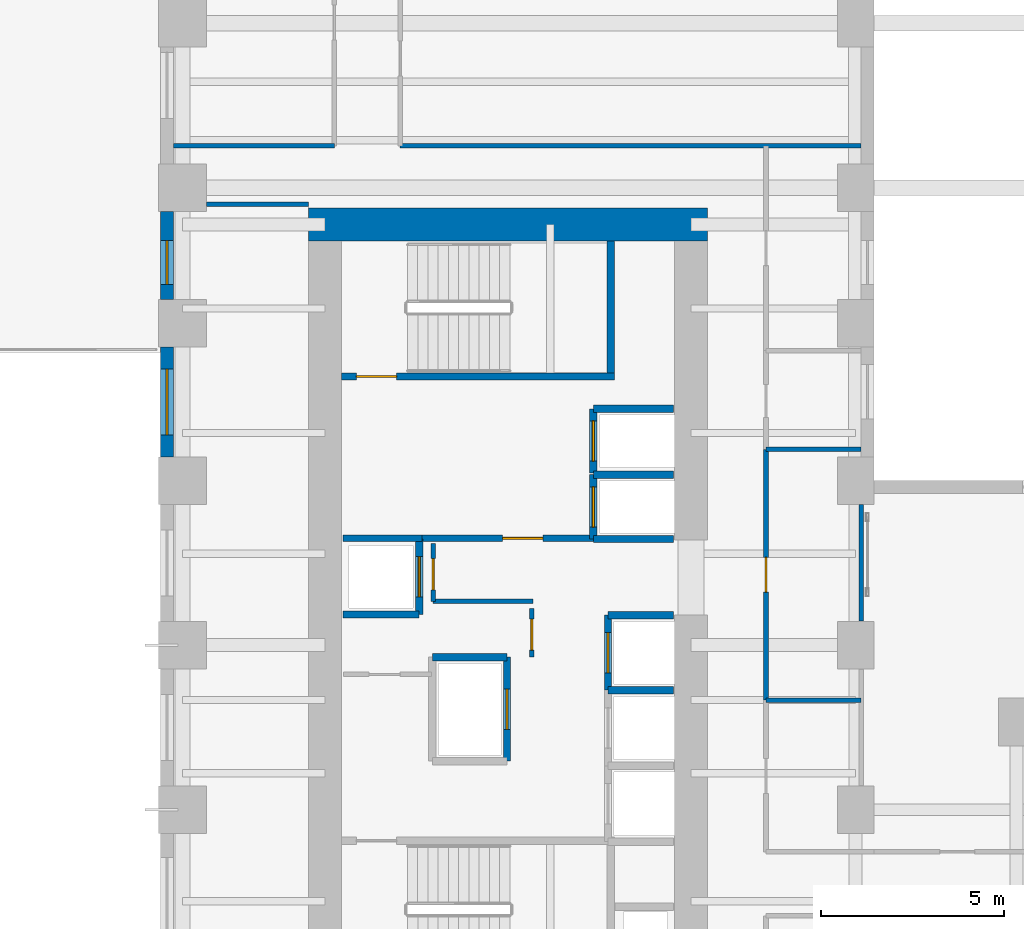
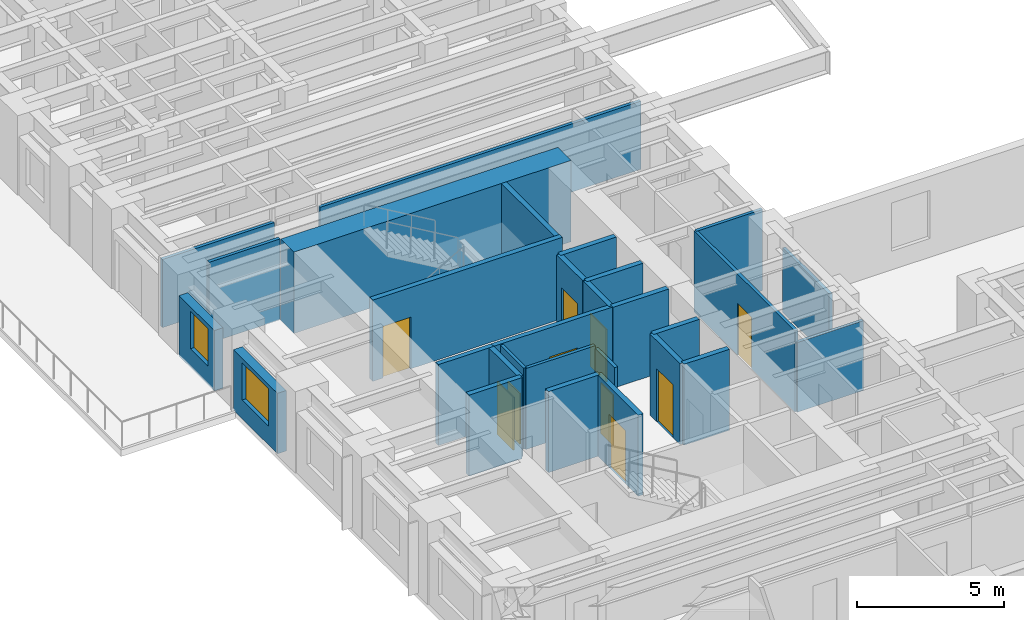
# One storey, part 8 of 15: 29 walls, 10 doors, 2 windows, 12 openings.
"""IFC4 building model written with IfcOpenShell, lengths in metres."""

from ifc_helpers import new_model, si_unit, direction, frame, frame_2d, origin, place, context, subcontext, project, spatial, rectangle, extrude, source, transform, mapped, material, layer, layer_set, type_object, element, fill, save


model = new_model("IFC4")

# Units and contexts
model_context = context("Model", 3, precision=1e-05, world=origin(), true_north=direction((0.0, 1.0)))
body_context = subcontext(model_context, "Body", "Model", "MODEL_VIEW")
ifc_project = project(units=[si_unit("LENGTHUNIT", "METRE"), si_unit("AREAUNIT", "SQUARE_METRE"), si_unit("VOLUMEUNIT", "CUBIC_METRE"), si_unit("PLANEANGLEUNIT", "RADIAN"), si_unit("MASSUNIT", "GRAM", prefix="KILO")], contexts=[model_context])

# Site, building, storey
site_placement = place(None, origin())
site = spatial("IfcSite", under=ifc_project, at=site_placement, CompositionType="ELEMENT")
building_placement = place(site_placement, origin())
building = spatial("IfcBuilding", under=site, at=building_placement, Name="Kharzan Plaza Tower", CompositionType="ELEMENT")
storey_placement = place(building_placement, frame((0.0, 0.0, 22.5)))
storey = spatial("IfcBuildingStorey", under=building, at=storey_placement, Name="L05", CompositionType="ELEMENT", Elevation=22.5)

# Wall, opening, window
ifc_material_1 = material(Name="Concrete C40/50", Category="concrete")
ifc_layer_1 = layer(ifc_material_1, 0.35009765625)
ifc_layer_set_1 = layer_set([ifc_layer_1], Name="Concrete C40/50")
wall_type_1 = type_object("IfcWallType", Name="WL-EXT-MAS-Z1", PredefinedType="SOLIDWALL", material=ifc_layer_set_1)
wall_1_placement = place(storey_placement, frame((0.175048828125, 29.85205078125, 0.0), z_axis=(0.0, 0.0, 1.0), x_axis=(0.0, -1.0, 0.0)))
wall_1 = element("IfcWall", 1, at=wall_1_placement, inside=storey, type_object=wall_type_1, Name="L05 Masonry-Frame Exterior Wall 14", PredefinedType="SOLIDWALL", context=body_context, shape_type="SweptSolid", body=[
    extrude(rectangle(XDim=2.404052734375, YDim=0.35009765625, at=frame_2d((1.2021484375, 0.0))), origin(), (0.0, 0.0, 1.0), 2.510009765625),
])
opening_1_placement = place(wall_1_placement, frame((0.786865234375, 0.0, 0.780029296875)))
opening_1 = element("IfcOpeningElement", 2, at=opening_1_placement, cuts=wall_1, Name="Opening W3", PredefinedType="OPENING", context=body_context, shape_type="SweptSolid", body=[
    extrude(rectangle(XDim=1.199951171875, YDim=1.550048828125, at=frame_2d((0.60009765625, 0.77490234375))), frame((0.0, 0.18505859375, 0.0), z_axis=(0.0, -1.0, 0.0), x_axis=(1.0, 0.0, 0.0)), (0.0, 0.0, 1.0), 0.3701171875),
])
ifc_material_2 = material(Name="Low-E Double Glazing", Category="glass")
window_type_1 = type_object("IfcWindowType", Name="WN-REC-1200x2100", PartitioningType="SINGLE_PANEL", PredefinedType="WINDOW", material=ifc_material_2)
shared_shape_1 = source(origin(), body_context, "Body", "SweptSolid", [
    extrude(rectangle(XDim=1.199951171875, YDim=1.550048828125, at=frame_2d((0.60009765625, 0.77490234375))), frame((0.0, 0.030029296875, 0.0), z_axis=(0.0, -1.0, 0.0), x_axis=(1.0, 0.0, 0.0)), (0.0, 0.0, 1.0), 0.06005859375),
])
window_1_placement = place(opening_1_placement, origin())
window_1 = element("IfcWindow", 3, at=window_1_placement, inside=storey, type_object=window_type_1, Name="L05 Recessed Solar-Control Window 14-1", OverallHeight=1.550048828125, OverallWidth=1.199951171875, PartitioningType="SINGLE_PANEL", PredefinedType="WINDOW", context=body_context, shape_type="MappedRepresentation", body=[
    mapped(shared_shape_1, transform((0.0, 0.0, 0.0), x_axis=(1.0, 0.0, 0.0), y_axis=(0.0, 1.0, 0.0), z_axis=(0.0, 0.0, 1.0))),
])
fill(opening_1, window_1)

wall_2_placement = place(storey_placement, frame((0.175048828125, 26.152099609375, 0.0), z_axis=(0.0, 0.0, 1.0), x_axis=(0.0, -1.0, 0.0)))
wall_2 = element("IfcWall", 4, at=wall_2_placement, inside=storey, type_object=wall_type_1, Name="L05 Masonry-Frame Exterior Wall 15", PredefinedType="SOLIDWALL", context=body_context, shape_type="SweptSolid", body=[
    extrude(rectangle(XDim=3.004150390625, YDim=0.35009765625, at=frame_2d((1.501953125, 0.0))), origin(), (0.0, 0.0, 1.0), 2.510009765625),
])
opening_2_placement = place(wall_2_placement, frame((0.60205078125, 0.0, 0.780029296875)))
opening_2 = element("IfcOpeningElement", 5, at=opening_2_placement, cuts=wall_2, Name="Opening W1", PredefinedType="OPENING", context=body_context, shape_type="SweptSolid", body=[
    extrude(rectangle(XDim=1.800048828125, YDim=1.550048828125, at=frame_2d((0.89990234375, 0.77490234375))), frame((0.0, 0.18505859375, 0.0), z_axis=(0.0, -1.0, 0.0), x_axis=(1.0, 0.0, 0.0)), (0.0, 0.0, 1.0), 0.3701171875),
])
window_type_2 = type_object("IfcWindowType", Name="WN-REC-1800x2100", PartitioningType="SINGLE_PANEL", PredefinedType="WINDOW", material=ifc_material_2)
shared_shape_2 = source(origin(), body_context, "Body", "SweptSolid", [
    extrude(rectangle(XDim=1.800048828125, YDim=1.550048828125, at=frame_2d((0.89990234375, 0.77490234375))), frame((0.0, 0.030029296875, 0.0), z_axis=(0.0, -1.0, 0.0), x_axis=(1.0, 0.0, 0.0)), (0.0, 0.0, 1.0), 0.06005859375),
])
window_2_placement = place(opening_2_placement, origin())
window_2 = element("IfcWindow", 6, at=window_2_placement, inside=storey, type_object=window_type_2, Name="L05 Recessed Solar-Control Window 15-1", OverallHeight=1.550048828125, OverallWidth=1.800048828125, PartitioningType="SINGLE_PANEL", PredefinedType="WINDOW", context=body_context, shape_type="MappedRepresentation", body=[
    mapped(shared_shape_2, transform((0.0, 0.0, 0.0), x_axis=(1.0, 0.0, 0.0), y_axis=(0.0, 1.0, 0.0), z_axis=(0.0, 0.0, 1.0))),
])
fill(opening_2, window_2)

# Wall, opening, door
ifc_layer_2 = layer(ifc_material_1, 0.179931640625)
ifc_layer_set_2 = layer_set([ifc_layer_2], Name="Concrete C40/50")
wall_type_2 = type_object("IfcWallType", Name="WL-INT-FIRE-180", PredefinedType="PARTITIONING", material=ifc_layer_set_2)
wall_3_placement = place(storey_placement, frame((7.14990234375, 20.919921875, 0.0), z_axis=(0.0, 0.0, 1.0), x_axis=(1.0, 0.0, 0.0)))
wall_3 = element("IfcWall", 7, at=wall_3_placement, inside=storey, type_object=wall_type_2, Name="L05 Interior Partition CA-FF-S", PredefinedType="PARTITIONING", context=body_context, shape_type="SweptSolid", body=[
    extrude(rectangle(XDim=4.68017578125, YDim=0.179931640625, at=frame_2d((2.340087890625, 0.0))), origin(), (0.0, 0.0, 1.0), 3.364990234375),
])
opening_3_placement = place(wall_3_placement, frame((2.199951171875, 0.0, 0.0)))
opening_3 = element("IfcOpeningElement", 8, at=opening_3_placement, cuts=wall_3, Name="Opening FD1", PredefinedType="OPENING", context=body_context, shape_type="SweptSolid", body=[
    extrude(rectangle(XDim=1.10009765625, YDim=2.14990234375, at=frame_2d((0.550048828125, 1.074951171875))), frame((0.0, 0.099853515625, 0.0), z_axis=(0.0, -1.0, 0.0), x_axis=(1.0, 0.0, 0.0)), (0.0, 0.0, 1.0), 0.199951171875),
])
ifc_material_3 = material(Name="Fire-Rated Acoustic Vision-Panel Steel", Category="steel")
door_type_1 = type_object("IfcDoorType", Name="DR-FIRE-LOBBY", OperationType="NOTDEFINED", PredefinedType="DOOR", material=ifc_material_3)
shared_shape_3 = source(origin(), body_context, "Body", "SweptSolid", [
    extrude(rectangle(XDim=1.10009765625, YDim=2.14990234375, at=frame_2d((0.550048828125, 1.074951171875))), frame((0.0, 0.02490234375, 0.0), z_axis=(0.0, -1.0, 0.0), x_axis=(1.0, 0.0, 0.0)), (0.0, 0.0, 1.0), 0.050048828125),
])
door_1_placement = place(opening_3_placement, origin())
door_1 = element("IfcDoor", 9, at=door_1_placement, inside=storey, type_object=door_type_1, Name="L05 Firefighting Lobby Door", OperationType="SINGLE_SWING_LEFT", OverallHeight=2.14990234375, OverallWidth=1.10009765625, PredefinedType="DOOR", context=body_context, shape_type="MappedRepresentation", body=[
    mapped(shared_shape_3, transform((0.0, 0.0, 0.0), x_axis=(1.0, 0.0, 0.0), y_axis=(0.0, 1.0, 0.0), z_axis=(0.0, 0.0, 1.0))),
])
fill(opening_3, door_1)

ifc_material_4 = material(Name="Fire-Rated Gypsum Board Partition", Category="gypsum")
ifc_layer_3 = layer(ifc_material_4, 0.125)
ifc_layer_set_3 = layer_set([ifc_layer_3], Name="Fire-Rated Gypsum Board Partition")
wall_type_3 = type_object("IfcWallType", Name="WL-INT-PART-125", PredefinedType="PARTITIONING", material=ifc_layer_set_3)
wall_4_placement = place(storey_placement, frame((10.14990234375, 17.679931640625, 0.0), z_axis=(0.0, 0.0, 1.0), x_axis=(0.0, 1.0, 0.0)))
wall_4 = element("IfcWall", 10, at=wall_4_placement, inside=storey, type_object=wall_type_3, Name="L05 Interior Partition CA-K2A", PredefinedType="PARTITIONING", context=body_context, shape_type="SweptSolid", body=[
    extrude(rectangle(XDim=1.320068359375, YDim=0.125, at=frame_2d((0.66015625, 0.0))), origin(), (0.0, 0.0, 1.0), 3.364990234375),
])
opening_4_placement = place(wall_4_placement, frame((0.18505859375, 0.0, 0.0)))
opening_4 = element("IfcOpeningElement", 11, at=opening_4_placement, cuts=wall_4, Name="Opening RD1", PredefinedType="OPENING", context=body_context, shape_type="SweptSolid", body=[
    extrude(rectangle(XDim=0.85009765625, YDim=2.10009765625, at=frame_2d((0.425048828125, 1.050048828125))), frame((0.0, 0.072509765625, 0.0), z_axis=(0.0, -1.0, 0.0), x_axis=(1.0, 0.0, 0.0)), (0.0, 0.0, 1.0), 0.14501953125),
])
ifc_material_5 = material(Name="Powder-Coated Fire-Rated Steel", Category="steel")
door_type_2 = type_object("IfcDoorType", Name="DR-RISER-900", OperationType="NOTDEFINED", PredefinedType="DOOR", material=ifc_material_5)
shared_shape_4 = source(origin(), body_context, "Body", "SweptSolid", [
    extrude(rectangle(XDim=0.85009765625, YDim=2.10009765625, at=frame_2d((0.425048828125, 1.050048828125))), frame((0.0, 0.02490234375, 0.0), z_axis=(0.0, -1.0, 0.0), x_axis=(1.0, 0.0, 0.0)), (0.0, 0.0, 1.0), 0.050048828125),
])
door_2_placement = place(opening_4_placement, origin())
door_2 = element("IfcDoor", 12, at=door_2_placement, inside=storey, type_object=door_type_2, Name="L05 Core Mechanical Store Door", OperationType="SINGLE_SWING_RIGHT", OverallHeight=2.10009765625, OverallWidth=0.85009765625, PredefinedType="DOOR", context=body_context, shape_type="MappedRepresentation", body=[
    mapped(shared_shape_4, transform((0.0, 0.0, 0.0), x_axis=(1.0, 0.0, 0.0), y_axis=(0.0, 1.0, 0.0), z_axis=(0.0, 0.0, 1.0))),
])
fill(opening_4, door_2)

wall_5_placement = place(storey_placement, frame((7.449951171875, 19.199951171875, 0.0), z_axis=(0.0, 0.0, 1.0), x_axis=(0.0, 1.0, 0.0)))
wall_5 = element("IfcWall", 13, at=wall_5_placement, inside=storey, type_object=wall_type_3, Name="L05 Interior Partition CA-K2B", PredefinedType="PARTITIONING", context=body_context, shape_type="SweptSolid", body=[
    extrude(rectangle(XDim=1.580078125, YDim=0.125, at=frame_2d((0.7900390625, 0.0))), origin(), (0.0, 0.0, 1.0), 3.364990234375),
])
opening_5_placement = place(wall_5_placement, frame((0.31494140625, 0.0, 0.0)))
opening_5 = element("IfcOpeningElement", 14, at=opening_5_placement, cuts=wall_5, Name="Opening RD1", PredefinedType="OPENING", context=body_context, shape_type="SweptSolid", body=[
    extrude(rectangle(XDim=0.85009765625, YDim=2.10009765625, at=frame_2d((0.425048828125, 1.050048828125))), frame((0.0, 0.072509765625, 0.0), z_axis=(0.0, -1.0, 0.0), x_axis=(1.0, 0.0, 0.0)), (0.0, 0.0, 1.0), 0.14501953125),
])
door_3_placement = place(opening_5_placement, origin())
door_3 = element("IfcDoor", 15, at=door_3_placement, inside=storey, type_object=door_type_2, Name="L05 Core Plant Store Door", OperationType="SINGLE_SWING_LEFT", OverallHeight=2.10009765625, OverallWidth=0.85009765625, PredefinedType="DOOR", context=body_context, shape_type="MappedRepresentation", body=[
    mapped(shared_shape_4, transform((0.0, 0.0, 0.0), x_axis=(1.0, 0.0, 0.0), y_axis=(0.0, 1.0, 0.0), z_axis=(0.0, 0.0, 1.0))),
])
fill(opening_5, door_3)

wall_6_placement = place(storey_placement, frame((16.550048828125, 16.5, 0.0), z_axis=(0.0, 0.0, 1.0), x_axis=(0.0, 1.0, 0.0)))
wall_6 = element("IfcWall", 16, at=wall_6_placement, inside=storey, type_object=wall_type_3, Name="L05 Interior Partition SH-AEWN2", PredefinedType="PARTITIONING", context=body_context, shape_type="SweptSolid", body=[
    extrude(rectangle(XDim=6.85009765625, YDim=0.125, at=frame_2d((3.425048828125, 0.0))), origin(), (0.0, 0.0, 1.0), 3.364990234375),
])
opening_6_placement = place(wall_6_placement, frame((2.949951171875, 0.0, 0.0)))
opening_6 = element("IfcOpeningElement", 17, at=opening_6_placement, cuts=wall_6, Name="Opening OD1", PredefinedType="OPENING", context=body_context, shape_type="SweptSolid", body=[
    extrude(rectangle(XDim=0.949951171875, YDim=2.14990234375, at=frame_2d((0.47509765625, 1.074951171875))), frame((0.0, 0.072509765625, 0.0), z_axis=(0.0, -1.0, 0.0), x_axis=(1.0, 0.0, 0.0)), (0.0, 0.0, 1.0), 0.14501953125),
])
ifc_material_6 = material(Name="Acoustic Solid-Core Stained Oak", Category="timber")
door_type_3 = type_object("IfcDoorType", Name="DR-OFF-SINGLE", OperationType="NOTDEFINED", PredefinedType="DOOR", material=ifc_material_6)
shared_shape_5 = source(origin(), body_context, "Body", "SweptSolid", [
    extrude(rectangle(XDim=0.949951171875, YDim=2.14990234375, at=frame_2d((0.47509765625, 1.074951171875))), frame((0.0, 0.02490234375, 0.0), z_axis=(0.0, -1.0, 0.0), x_axis=(1.0, 0.0, 0.0)), (0.0, 0.0, 1.0), 0.050048828125),
])
door_4_placement = place(opening_6_placement, origin())
door_4 = element("IfcDoor", 18, at=door_4_placement, inside=storey, type_object=door_type_3, Name="L05 Slot Studio Door", OperationType="SINGLE_SWING_RIGHT", OverallHeight=2.14990234375, OverallWidth=0.949951171875, PredefinedType="DOOR", context=body_context, shape_type="MappedRepresentation", body=[
    mapped(shared_shape_5, transform((0.0, 0.0, 0.0), x_axis=(1.0, 0.0, 0.0), y_axis=(0.0, 1.0, 0.0), z_axis=(0.0, 0.0, 1.0))),
])
fill(opening_6, door_4)

ifc_layer_4 = layer(ifc_material_1, 0.199951171875)
ifc_layer_set_4 = layer_set([ifc_layer_4], Name="Concrete C40/50")
wall_type_4 = type_object("IfcWallType", Name="WL-INT-SHAFT-200", PredefinedType="PARTITIONING", material=ifc_layer_set_4)
wall_7_placement = place(storey_placement, frame((11.830078125, 20.89990234375, 0.0), z_axis=(0.0, 0.0, 1.0), x_axis=(0.0, 1.0, 0.0)))
wall_7 = element("IfcWall", 19, at=wall_7_placement, inside=storey, type_object=wall_type_4, Name="L05 Interior Partition SHF-FFL-1-W", PredefinedType="PARTITIONING", context=body_context, shape_type="SweptSolid", body=[
    extrude(rectangle(XDim=1.760009765625, YDim=0.199951171875, at=frame_2d((0.8798828125, 0.0))), origin(), (0.0, 0.0, 1.0), 3.364990234375),
])
opening_7_placement = place(wall_7_placement, frame((0.330078125, 0.0, 0.0)))
opening_7 = element("IfcOpeningElement", 20, at=opening_7_placement, cuts=wall_7, Name="Opening LD", PredefinedType="OPENING", context=body_context, shape_type="SweptSolid", body=[
    extrude(rectangle(XDim=1.10009765625, YDim=2.199951171875, at=frame_2d((0.550048828125, 1.10009765625))), frame((0.0, 0.10986328125, 0.0), z_axis=(0.0, -1.0, 0.0), x_axis=(1.0, 0.0, 0.0)), (0.0, 0.0, 1.0), 0.219970703125),
])
ifc_material_7 = material(Name="Brushed Stainless Steel", Category="steel")
door_type_4 = type_object("IfcDoorType", Name="DR-LIFT-SLIDE", OperationType="SLIDING_TO_LEFT", PredefinedType="DOOR", material=ifc_material_7)
shared_shape_6 = source(origin(), body_context, "Body", "SweptSolid", [
    extrude(rectangle(XDim=1.10009765625, YDim=2.199951171875, at=frame_2d((0.550048828125, 1.10009765625))), frame((0.0, 0.02490234375, 0.0), z_axis=(0.0, -1.0, 0.0), x_axis=(1.0, 0.0, 0.0)), (0.0, 0.0, 1.0), 0.050048828125),
])
door_5_placement = place(opening_7_placement, origin())
door_5 = element("IfcDoor", 21, at=door_5_placement, inside=storey, type_object=door_type_4, Name="L05 Firefighting Lift FFL-1 Sliding Landing Door", OperationType="SLIDING_TO_LEFT", OverallHeight=2.199951171875, OverallWidth=1.10009765625, PredefinedType="DOOR", context=body_context, shape_type="MappedRepresentation", body=[
    mapped(shared_shape_6, transform((0.0, 0.0, 0.0), x_axis=(1.0, 0.0, 0.0), y_axis=(0.0, 1.0, 0.0), z_axis=(0.0, 0.0, 1.0))),
])
fill(opening_7, door_5)

wall_8_placement = place(storey_placement, frame((11.830078125, 22.699951171875, 0.0), z_axis=(0.0, 0.0, 1.0), x_axis=(0.0, 1.0, 0.0)))
wall_8 = element("IfcWall", 22, at=wall_8_placement, inside=storey, type_object=wall_type_4, Name="L05 Interior Partition SHF-FFL-2-W", PredefinedType="PARTITIONING", context=body_context, shape_type="SweptSolid", body=[
    extrude(rectangle(XDim=1.760009765625, YDim=0.199951171875, at=frame_2d((0.8798828125, 0.0))), origin(), (0.0, 0.0, 1.0), 3.364990234375),
])
opening_8_placement = place(wall_8_placement, frame((0.330078125, 0.0, 0.0)))
opening_8 = element("IfcOpeningElement", 23, at=opening_8_placement, cuts=wall_8, Name="Opening LD", PredefinedType="OPENING", context=body_context, shape_type="SweptSolid", body=[
    extrude(rectangle(XDim=1.10009765625, YDim=2.199951171875, at=frame_2d((0.550048828125, 1.10009765625))), frame((0.0, 0.10986328125, 0.0), z_axis=(0.0, -1.0, 0.0), x_axis=(1.0, 0.0, 0.0)), (0.0, 0.0, 1.0), 0.219970703125),
])
door_6_placement = place(opening_8_placement, origin())
door_6 = element("IfcDoor", 24, at=door_6_placement, inside=storey, type_object=door_type_4, Name="L05 Firefighting Lift FFL-2 Sliding Landing Door", OperationType="SLIDING_TO_LEFT", OverallHeight=2.199951171875, OverallWidth=1.10009765625, PredefinedType="DOOR", context=body_context, shape_type="MappedRepresentation", body=[
    mapped(shared_shape_6, transform((0.0, 0.0, 0.0), x_axis=(1.0, 0.0, 0.0), y_axis=(0.0, 1.0, 0.0), z_axis=(0.0, 0.0, 1.0))),
])
fill(opening_8, door_6)

wall_9_placement = place(storey_placement, frame((12.22998046875, 16.77001953125, 0.0), z_axis=(0.0, 0.0, 1.0), x_axis=(0.0, 1.0, 0.0)))
wall_9 = element("IfcWall", 25, at=wall_9_placement, inside=storey, type_object=wall_type_4, Name="L05 Interior Partition SHF-PL-H3-W", PredefinedType="PARTITIONING", context=body_context, shape_type="SweptSolid", body=[
    extrude(rectangle(XDim=2.050048828125, YDim=0.199951171875, at=frame_2d((1.02490234375, 0.0))), origin(), (0.0, 0.0, 1.0), 3.364990234375),
])
opening_9_placement = place(wall_9_placement, frame((0.47509765625, 0.0, 0.0)))
opening_9 = element("IfcOpeningElement", 26, at=opening_9_placement, cuts=wall_9, Name="Opening LD", PredefinedType="OPENING", context=body_context, shape_type="SweptSolid", body=[
    extrude(rectangle(XDim=1.10009765625, YDim=2.199951171875, at=frame_2d((0.550048828125, 1.10009765625))), frame((0.0, 0.10986328125, 0.0), z_axis=(0.0, -1.0, 0.0), x_axis=(1.0, 0.0, 0.0)), (0.0, 0.0, 1.0), 0.219970703125),
])
door_7_placement = place(opening_9_placement, origin())
door_7 = element("IfcDoor", 27, at=door_7_placement, inside=storey, type_object=door_type_4, Name="L05 High-Rise Passenger Lift PL-H3 Sliding Landing Door", OperationType="SLIDING_TO_LEFT", OverallHeight=2.199951171875, OverallWidth=1.10009765625, PredefinedType="DOOR", context=body_context, shape_type="MappedRepresentation", body=[
    mapped(shared_shape_6, transform((0.0, 0.0, 0.0), x_axis=(1.0, 0.0, 0.0), y_axis=(0.0, 1.0, 0.0), z_axis=(0.0, 0.0, 1.0))),
])
fill(opening_9, door_7)

wall_10_placement = place(storey_placement, frame((7.070068359375, 18.840087890625, 0.0), z_axis=(0.0, 0.0, 1.0), x_axis=(0.0, 1.0, 0.0)))
wall_10 = element("IfcWall", 28, at=wall_10_placement, inside=storey, type_object=wall_type_4, Name="L05 Interior Partition SHF-PL-H4-E", PredefinedType="PARTITIONING", context=body_context, shape_type="SweptSolid", body=[
    extrude(rectangle(XDim=2.059814453125, YDim=0.199951171875, at=frame_2d((1.02978515625, 0.0))), origin(), (0.0, 0.0, 1.0), 3.364990234375),
])
opening_10_placement = place(wall_10_placement, frame((0.47998046875, 0.0, 0.0)))
opening_10 = element("IfcOpeningElement", 29, at=opening_10_placement, cuts=wall_10, Name="Opening LD", PredefinedType="OPENING", context=body_context, shape_type="SweptSolid", body=[
    extrude(rectangle(XDim=1.10009765625, YDim=2.199951171875, at=frame_2d((0.550048828125, 1.10009765625))), frame((0.0, 0.10986328125, 0.0), z_axis=(0.0, -1.0, 0.0), x_axis=(1.0, 0.0, 0.0)), (0.0, 0.0, 1.0), 0.219970703125),
])
door_8_placement = place(opening_10_placement, origin())
door_8 = element("IfcDoor", 30, at=door_8_placement, inside=storey, type_object=door_type_4, Name="L05 High-Rise Passenger Lift PL-H4 Sliding Landing Door", OperationType="SLIDING_TO_LEFT", OverallHeight=2.199951171875, OverallWidth=1.10009765625, PredefinedType="DOOR", context=body_context, shape_type="MappedRepresentation", body=[
    mapped(shared_shape_6, transform((0.0, 0.0, 0.0), x_axis=(1.0, 0.0, 0.0), y_axis=(0.0, 1.0, 0.0), z_axis=(0.0, 0.0, 1.0))),
])
fill(opening_10, door_8)

wall_11_placement = place(storey_placement, frame((9.469970703125, 14.830078125, 0.0), z_axis=(0.0, 0.0, 1.0), x_axis=(0.0, 1.0, 0.0)))
wall_11 = element("IfcWall", 31, at=wall_11_placement, inside=storey, type_object=wall_type_4, Name="L05 Interior Partition SHF-SVL-1-E", PredefinedType="PARTITIONING", context=body_context, shape_type="SweptSolid", body=[
    extrude(rectangle(XDim=2.83984375, YDim=0.199951171875, at=frame_2d((1.419921875, 0.0))), origin(), (0.0, 0.0, 1.0), 3.364990234375),
])
opening_11_placement = place(wall_11_placement, frame((0.8701171875, 0.0, 0.0)))
opening_11 = element("IfcOpeningElement", 32, at=opening_11_placement, cuts=wall_11, Name="Opening LD", PredefinedType="OPENING", context=body_context, shape_type="SweptSolid", body=[
    extrude(rectangle(XDim=1.10009765625, YDim=2.199951171875, at=frame_2d((0.550048828125, 1.10009765625))), frame((0.0, 0.10986328125, 0.0), z_axis=(0.0, -1.0, 0.0), x_axis=(1.0, 0.0, 0.0)), (0.0, 0.0, 1.0), 0.219970703125),
])
door_9_placement = place(opening_11_placement, origin())
door_9 = element("IfcDoor", 33, at=door_9_placement, inside=storey, type_object=door_type_4, Name="L05 Service Lift SVL-1 Sliding Landing Door", OperationType="SLIDING_TO_LEFT", OverallHeight=2.199951171875, OverallWidth=1.10009765625, PredefinedType="DOOR", context=body_context, shape_type="MappedRepresentation", body=[
    mapped(shared_shape_6, transform((0.0, 0.0, 0.0), x_axis=(1.0, 0.0, 0.0), y_axis=(0.0, 1.0, 0.0), z_axis=(0.0, 0.0, 1.0))),
])
fill(opening_11, door_9)

ifc_material_8 = material(Name="Concrete C50/60", Category="concrete")
ifc_layer_5 = layer(ifc_material_8, 0.199951171875)
ifc_layer_set_5 = layer_set([ifc_layer_5], Name="Concrete C50/60")
wall_type_5 = type_object("IfcWallType", Name="WL-SHAFT-RC200", PredefinedType="SHEAR", material=ifc_layer_set_5)
wall_12_placement = place(storey_placement, frame((4.951904296875, 25.344970703125, 0.0), z_axis=(0.0, 0.0, 1.0), x_axis=(1.0, 0.0, 0.0)))
wall_12 = element("IfcWall", 34, at=wall_12_placement, inside=storey, type_object=wall_type_5, Name="L05 Stair ST-2 South RC Shaft Wall", PredefinedType="SHEAR", context=body_context, shape_type="SweptSolid", body=[
    extrude(rectangle(XDim=7.453125, YDim=0.199951171875, at=frame_2d((3.7265625, 0.0))), origin(), (0.0, 0.0, 1.0), 3.3798828125),
])
opening_12_placement = place(wall_12_placement, frame((0.39990234375, 0.0, 0.0)))
opening_12 = element("IfcOpeningElement", 35, at=opening_12_placement, cuts=wall_12, Name="Opening SD1", PredefinedType="OPENING", context=body_context, shape_type="SweptSolid", body=[
    extrude(rectangle(XDim=1.10009765625, YDim=2.14990234375, at=frame_2d((0.550048828125, 1.074951171875))), frame((0.0, 0.10986328125, 0.0), z_axis=(0.0, -1.0, 0.0), x_axis=(1.0, 0.0, 0.0)), (0.0, 0.0, 1.0), 0.219970703125),
])
ifc_material_9 = material(Name="Fire-Rated Hollow Galvanized Steel", Category="steel")
door_type_5 = type_object("IfcDoorType", Name="DR-STAIR-FD120", OperationType="NOTDEFINED", PredefinedType="DOOR", material=ifc_material_9)
shared_shape_7 = source(origin(), body_context, "Body", "SweptSolid", [
    extrude(rectangle(XDim=1.10009765625, YDim=2.14990234375, at=frame_2d((0.550048828125, 1.074951171875))), frame((0.0, 0.02490234375, 0.0), z_axis=(0.0, -1.0, 0.0), x_axis=(1.0, 0.0, 0.0)), (0.0, 0.0, 1.0), 0.050048828125),
])
door_10_placement = place(opening_12_placement, origin())
door_10 = element("IfcDoor", 36, at=door_10_placement, inside=storey, type_object=door_type_5, Name="L05 Stair ST-2 Fire Exit Door", OperationType="SINGLE_SWING_RIGHT", OverallHeight=2.14990234375, OverallWidth=1.10009765625, PredefinedType="DOOR", context=body_context, shape_type="MappedRepresentation", body=[
    mapped(shared_shape_7, transform((0.0, 0.0, 0.0), x_axis=(1.0, 0.0, 0.0), y_axis=(0.0, 1.0, 0.0), z_axis=(0.0, 0.0, 1.0))),
])
fill(opening_12, door_10)

# Walls
ifc_material_10 = material(Name="Concrete C60/75", Category="concrete")
ifc_layer_6 = layer(ifc_material_10, 0.89990234375)
ifc_layer_set_6 = layer_set([ifc_layer_6], Name="Concrete C60/75")
wall_type_6 = type_object("IfcWallType", Name="WL-CORE-900", PredefinedType="SHEAR", material=ifc_layer_set_6)
shared_shape_8 = source(origin(), body_context, "Body", "SweptSolid", [
    extrude(rectangle(XDim=10.89990234375, YDim=0.89990234375, at=frame_2d((5.449951171875, 0.0))), origin(), (0.0, 0.0, 1.0), 3.3798828125),
])
wall_13_placement = place(storey_placement, frame((4.050048828125, 29.5, 0.0), z_axis=(0.0, 0.0, 1.0), x_axis=(1.0, 0.0, 0.0)))
element("IfcWall", 37, at=wall_13_placement, inside=storey, type_object=wall_type_6, Name="L05 CORE-A north RC shear wall", PredefinedType="SHEAR", context=body_context, shape_type="MappedRepresentation", body=[
    mapped(shared_shape_8, transform((0.0, 0.0, 0.0), x_axis=(1.0, 0.0, 0.0), y_axis=(0.0, 1.0, 0.0), z_axis=(0.0, 0.0, 1.0))),
])
shared_shape_9 = source(origin(), body_context, "Body", "SweptSolid", [
    extrude(rectangle(XDim=2.169921875, YDim=0.179931640625, at=frame_2d((1.0849609375, 0.0))), origin(), (0.0, 0.0, 1.0), 3.364990234375),
])
wall_14_placement = place(storey_placement, frame((4.97998046875, 20.919921875, 0.0), z_axis=(0.0, 0.0, 1.0), x_axis=(1.0, 0.0, 0.0)))
element("IfcWall", 38, at=wall_14_placement, inside=storey, type_object=wall_type_2, Name="L05 Interior Partition CA-FF-SW", PredefinedType="PARTITIONING", context=body_context, shape_type="MappedRepresentation", body=[
    mapped(shared_shape_9, transform((0.0, 0.0, 0.0), x_axis=(1.0, 0.0, 0.0), y_axis=(0.0, 1.0, 0.0), z_axis=(0.0, 0.0, 1.0))),
])
shared_shape_10 = source(origin(), body_context, "Body", "SweptSolid", [
    extrude(rectangle(XDim=2.72998046875, YDim=0.125, at=frame_2d((1.364990234375, 0.0))), origin(), (0.0, 0.0, 1.0), 3.364990234375),
])
wall_15_placement = place(storey_placement, frame((7.449951171875, 19.199951171875, 0.0), z_axis=(0.0, 0.0, 1.0), x_axis=(1.0, 0.0, 0.0)))
element("IfcWall", 39, at=wall_15_placement, inside=storey, type_object=wall_type_3, Name="L05 Interior Partition CA-K2M", PredefinedType="PARTITIONING", context=body_context, shape_type="MappedRepresentation", body=[
    mapped(shared_shape_10, transform((0.0, 0.0, 0.0), x_axis=(1.0, 0.0, 0.0), y_axis=(0.0, 1.0, 0.0), z_axis=(0.0, 0.0, 1.0))),
])
shared_shape_11 = source(origin(), body_context, "Body", "SweptSolid", [
    extrude(rectangle(XDim=2.599853515625, YDim=0.125, at=frame_2d((1.2998046875, 0.0))), origin(), (0.0, 0.0, 1.0), 2.89599609375),
])
wall_16_placement = place(storey_placement, frame((16.550048828125, 16.5, 0.0), z_axis=(0.0, 0.0, 1.0), x_axis=(1.0, 0.0, 0.0)))
element("IfcWall", 40, at=wall_16_placement, inside=storey, type_object=wall_type_3, Name="L05 Interior Partition SH-AEH-165", PredefinedType="PARTITIONING", context=body_context, shape_type="MappedRepresentation", body=[
    mapped(shared_shape_11, transform((0.0, 0.0, 0.0), x_axis=(1.0, 0.0, 0.0), y_axis=(0.0, 1.0, 0.0), z_axis=(0.0, 0.0, 1.0))),
])
shared_shape_12 = source(origin(), body_context, "Body", "SweptSolid", [
    extrude(rectangle(XDim=2.597900390625, YDim=0.125, at=frame_2d((1.298828125, 0.0))), origin(), (0.0, 0.0, 1.0), 3.364990234375),
])
wall_17_placement = place(storey_placement, frame((16.550048828125, 23.35009765625, 0.0), z_axis=(0.0, 0.0, 1.0), x_axis=(1.0, 0.0, 0.0)))
element("IfcWall", 41, at=wall_17_placement, inside=storey, type_object=wall_type_3, Name="L05 Interior Partition SH-AEH-233", PredefinedType="PARTITIONING", context=body_context, shape_type="MappedRepresentation", body=[
    mapped(shared_shape_12, transform((0.0, 0.0, 0.0), x_axis=(1.0, 0.0, 0.0), y_axis=(0.0, 1.0, 0.0), z_axis=(0.0, 0.0, 1.0))),
])
shared_shape_13 = source(origin(), body_context, "Body", "SweptSolid", [
    extrude(rectangle(XDim=3.18017578125, YDim=0.125, at=frame_2d((1.590087890625, 0.0))), origin(), (0.0, 0.0, 1.0), 2.669921875),
])
wall_18_placement = place(storey_placement, frame((19.14990234375, 18.659912109375, 0.0), z_axis=(0.0, 0.0, 1.0), x_axis=(0.0, 1.0, 0.0)))
element("IfcWall", 42, at=wall_18_placement, inside=storey, type_object=wall_type_3, Name="L05 Interior Partition SH-AEN-DIV-S2", PredefinedType="PARTITIONING", context=body_context, shape_type="MappedRepresentation", body=[
    mapped(shared_shape_13, transform((0.0, 0.0, 0.0), x_axis=(1.0, 0.0, 0.0), y_axis=(0.0, 1.0, 0.0), z_axis=(0.0, 0.0, 1.0))),
])
shared_shape_14 = source(origin(), body_context, "Body", "SweptSolid", [
    extrude(rectangle(XDim=12.597900390625, YDim=0.125, at=frame_2d((6.298828125, 0.0))), origin(), (0.0, 0.0, 1.0), 2.827880859375),
])
wall_19_placement = place(storey_placement, frame((6.550048828125, 31.64990234375, 0.0), z_axis=(0.0, 0.0, 1.0), x_axis=(1.0, 0.0, 0.0)))
element("IfcWall", 43, at=wall_19_placement, inside=storey, type_object=wall_type_3, Name="L05 Interior Partition SH-NNE", PredefinedType="PARTITIONING", context=body_context, shape_type="MappedRepresentation", body=[
    mapped(shared_shape_14, transform((0.0, 0.0, 0.0), x_axis=(1.0, 0.0, 0.0), y_axis=(0.0, 1.0, 0.0), z_axis=(0.0, 0.0, 1.0))),
])
shared_shape_15 = source(origin(), body_context, "Body", "SweptSolid", [
    extrude(rectangle(XDim=4.39794921875, YDim=0.125, at=frame_2d((2.198974609375, 0.0))), origin(), (0.0, 0.0, 1.0), 2.827880859375),
])
wall_20_placement = place(storey_placement, frame((0.35205078125, 31.64990234375, 0.0), z_axis=(0.0, 0.0, 1.0), x_axis=(1.0, 0.0, 0.0)))
element("IfcWall", 44, at=wall_20_placement, inside=storey, type_object=wall_type_3, Name="L05 Interior Partition SH-NNW", PredefinedType="PARTITIONING", context=body_context, shape_type="MappedRepresentation", body=[
    mapped(shared_shape_15, transform((0.0, 0.0, 0.0), x_axis=(1.0, 0.0, 0.0), y_axis=(0.0, 1.0, 0.0), z_axis=(0.0, 0.0, 1.0))),
])
shared_shape_16 = source(origin(), body_context, "Body", "SweptSolid", [
    extrude(rectangle(XDim=2.7900390625, YDim=0.125, at=frame_2d((1.39501953125, 0.0))), origin(), (0.0, 0.0, 1.0), 3.364990234375),
])
wall_21_placement = place(storey_placement, frame((1.260009765625, 30.050048828125, 0.0), z_axis=(0.0, 0.0, 1.0), x_axis=(1.0, 0.0, 0.0)))
element("IfcWall", 45, at=wall_21_placement, inside=storey, type_object=wall_type_3, Name="L05 Interior Partition SH-RWN0", PredefinedType="PARTITIONING", context=body_context, shape_type="MappedRepresentation", body=[
    mapped(shared_shape_16, transform((0.0, 0.0, 0.0), x_axis=(1.0, 0.0, 0.0), y_axis=(0.0, 1.0, 0.0), z_axis=(0.0, 0.0, 1.0))),
])
shared_shape_17 = source(origin(), body_context, "Body", "SweptSolid", [
    extrude(rectangle(XDim=2.18994140625, YDim=0.199951171875, at=frame_2d((1.094970703125, 0.0))), origin(), (0.0, 0.0, 1.0), 3.364990234375),
])
for number, where, z_axis, x_axis, name in (
    (46, (11.830078125, 22.659912109375, 0.0), (0.0, 0.0, 1.0), (1.0, 0.0, 0.0), "L05 Interior Partition SHF-FFL-1-N"),
    (47, (11.830078125, 20.89990234375, 0.0), (0.0, 0.0, 1.0), (1.0, 0.0, 0.0), "L05 Interior Partition SHF-FFL-1-S"),
    (48, (11.830078125, 24.4599609375, 0.0), (0.0, 0.0, 1.0), (1.0, 0.0, 0.0), "L05 Interior Partition SHF-FFL-2-N"),
):
    element("IfcWall", number, at=place(storey_placement, frame(where, z_axis=z_axis, x_axis=x_axis)), inside=storey, type_object=wall_type_4, Name=name, PredefinedType="PARTITIONING", context=body_context, shape_type="MappedRepresentation", body=[
        mapped(shared_shape_17, transform((0.0, 0.0, 0.0), x_axis=(1.0, 0.0, 0.0), y_axis=(0.0, 1.0, 0.0), z_axis=(0.0, 0.0, 1.0))),
    ])
shared_shape_18 = source(origin(), body_context, "Body", "SweptSolid", [
    extrude(rectangle(XDim=1.7900390625, YDim=0.199951171875, at=frame_2d((0.89501953125, 0.0))), origin(), (0.0, 0.0, 1.0), 3.364990234375),
])
for number, where, z_axis, x_axis, name in (
    (49, (12.22998046875, 16.77001953125, 0.0), (0.0, 0.0, 1.0), (1.0, 0.0, 0.0), "L05 Interior Partition SHF-PL-H2-N"),
    (50, (12.22998046875, 18.820068359375, 0.0), (0.0, 0.0, 1.0), (1.0, 0.0, 0.0), "L05 Interior Partition SHF-PL-H3-N"),
):
    element("IfcWall", number, at=place(storey_placement, frame(where, z_axis=z_axis, x_axis=x_axis)), inside=storey, type_object=wall_type_4, Name=name, PredefinedType="PARTITIONING", context=body_context, shape_type="MappedRepresentation", body=[
        mapped(shared_shape_18, transform((0.0, 0.0, 0.0), x_axis=(1.0, 0.0, 0.0), y_axis=(0.0, 1.0, 0.0), z_axis=(0.0, 0.0, 1.0))),
    ])
shared_shape_19 = source(origin(), body_context, "Body", "SweptSolid", [
    extrude(rectangle(XDim=2.090087890625, YDim=0.199951171875, at=frame_2d((1.044921875, 0.0))), origin(), (0.0, 0.0, 1.0), 3.364990234375),
])
wall_22_placement = place(storey_placement, frame((4.97998046875, 18.840087890625, 0.0), z_axis=(0.0, 0.0, 1.0), x_axis=(1.0, 0.0, 0.0)))
element("IfcWall", 51, at=wall_22_placement, inside=storey, type_object=wall_type_4, Name="L05 Interior Partition SHF-PL-H4-S", PredefinedType="PARTITIONING", context=body_context, shape_type="MappedRepresentation", body=[
    mapped(shared_shape_19, transform((0.0, 0.0, 0.0), x_axis=(1.0, 0.0, 0.0), y_axis=(0.0, 1.0, 0.0), z_axis=(0.0, 0.0, 1.0))),
])
shared_shape_20 = source(origin(), body_context, "Body", "SweptSolid", [
    extrude(rectangle(XDim=2.0400390625, YDim=0.199951171875, at=frame_2d((1.02001953125, 0.0))), origin(), (0.0, 0.0, 1.0), 3.364990234375),
])
wall_23_placement = place(storey_placement, frame((7.429931640625, 17.669921875, 0.0), z_axis=(0.0, 0.0, 1.0), x_axis=(1.0, 0.0, 0.0)))
element("IfcWall", 52, at=wall_23_placement, inside=storey, type_object=wall_type_4, Name="L05 Interior Partition SHF-SVL-1-N", PredefinedType="PARTITIONING", context=body_context, shape_type="MappedRepresentation", body=[
    mapped(shared_shape_20, transform((0.0, 0.0, 0.0), x_axis=(1.0, 0.0, 0.0), y_axis=(0.0, 1.0, 0.0), z_axis=(0.0, 0.0, 1.0))),
])
shared_shape_21 = source(origin(), body_context, "Body", "SweptSolid", [
    extrude(rectangle(XDim=3.60302734375, YDim=0.199951171875, at=frame_2d((1.801513671875, 0.0))), origin(), (0.0, 0.0, 1.0), 3.3798828125),
])
wall_24_placement = place(storey_placement, frame((12.304931640625, 25.445068359375, 0.0), z_axis=(0.0, 0.0, 1.0), x_axis=(0.0, 1.0, 0.0)))
element("IfcWall", 53, at=wall_24_placement, inside=storey, type_object=wall_type_5, Name="L05 Stair ST-2 East RC Shaft Wall", PredefinedType="SHEAR", context=body_context, shape_type="MappedRepresentation", body=[
    mapped(shared_shape_21, transform((0.0, 0.0, 0.0), x_axis=(1.0, 0.0, 0.0), y_axis=(0.0, 1.0, 0.0), z_axis=(0.0, 0.0, 1.0))),
])

save(model, "model.ifc")
